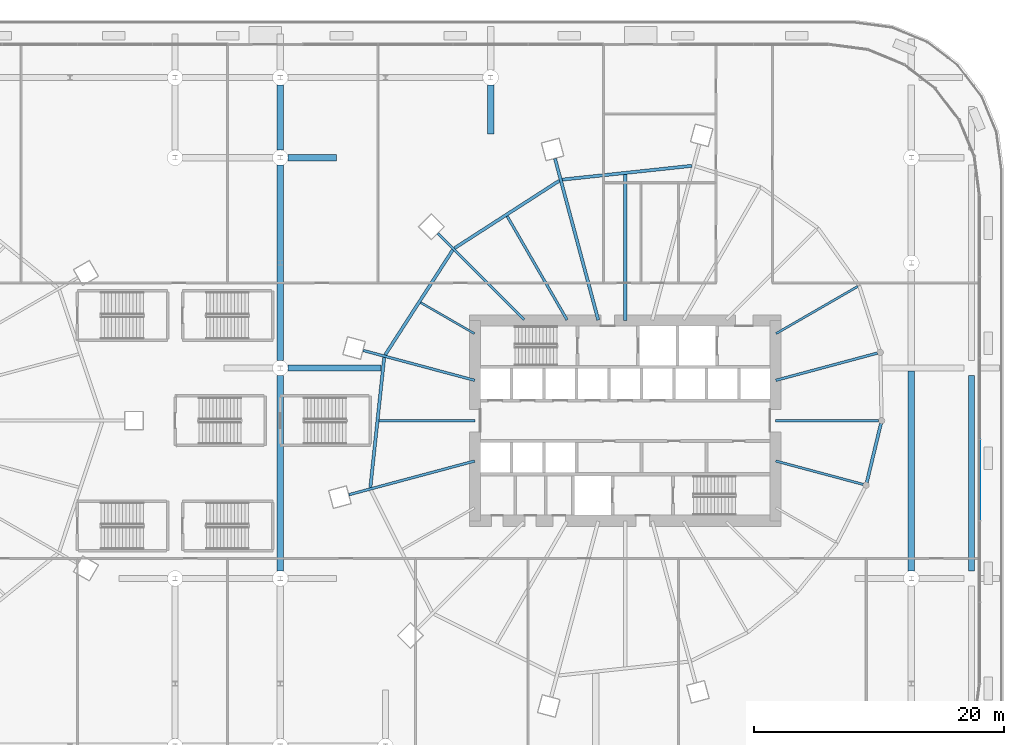
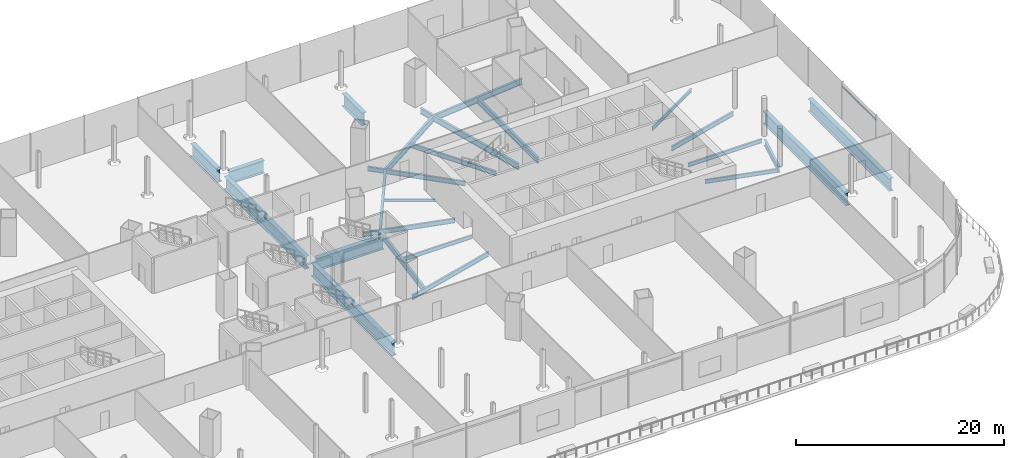
# One storey, part 26 of 56: 25 beams, 1 member, 1 element without a shape of its own.
"""IFC4 building model written with IfcOpenShell, lengths in metres."""

from ifc_helpers import new_model, si_unit, direction, frame, origin, origin_2d, place, context, subcontext, project, spatial, rectangle, i_section, extrude, material, material_profile, profile_set, type_object, element, aggregate, save


model = new_model("IFC4")

# Units and contexts
model_context = context("Model", 3, precision=1e-05, world=origin(), true_north=direction((0.0, 1.0)))
body_context = subcontext(model_context, "Body", "Model", "MODEL_VIEW")
ifc_project = project(units=[si_unit("LENGTHUNIT", "METRE"), si_unit("AREAUNIT", "SQUARE_METRE"), si_unit("VOLUMEUNIT", "CUBIC_METRE"), si_unit("PLANEANGLEUNIT", "RADIAN"), si_unit("MASSUNIT", "GRAM", prefix="KILO")], contexts=[model_context])

# Site, building, storey
site_placement = place(None, origin())
site = spatial("IfcSite", under=ifc_project, at=site_placement, CompositionType="ELEMENT")
building_placement = place(site_placement, origin())
building = spatial("IfcBuilding", under=site, at=building_placement, Name="Rimbun Link Towers", CompositionType="ELEMENT")
storey_placement = place(building_placement, frame((0.0, 0.0, 16.5)))
storey = spatial("IfcBuildingStorey", under=building, at=storey_placement, Name="L03", CompositionType="ELEMENT", Elevation=16.5)

# Curtain wall, member
ifc_material_1 = material(Name="Aluminium 6063-T6 and low-iron glass", Category="aluminium")
curtain_wall_type = type_object("IfcCurtainWallType", Name="CW3 podium shopfront", PredefinedType="NOTDEFINED", material=ifc_material_1)
curtain_wall_placement = place(storey_placement, origin())
curtain_wall = element("IfcCurtainWall", 1, at=curtain_wall_placement, inside=storey, type_object=curtain_wall_type, Name="CW3 L03 PD", PredefinedType="NOTDEFINED")
ifc_material_2 = material(Name="Aluminium 6063-T6", Category="aluminium")
ifc_material_profile_1 = material_profile(ifc_material_2, rectangle(XDim=0.06005859375, YDim=0.1201171875, at=origin_2d()), Name="TRANSOM 60X120")
ifc_profile_set_1 = profile_set([ifc_material_profile_1], Name="Aluminium 6063-T6")
member_type = type_object("IfcMemberType", Name="CW3 transom 60X120", PredefinedType="USERDEFINED", material=ifc_profile_set_1)
member_placement = place(storey_placement, frame((60.053955078125, -1.530029296875, 3.89990234375), z_axis=(0.0, -1.0, 0.0), x_axis=(1.0, 0.0, 0.0)))
member = element("IfcMember", 2, at=member_placement, type_object=member_type, Name="CW3 transom", ObjectType="TRANSOM", PredefinedType="USERDEFINED", context=body_context, shape_type="SweptSolid", body=[
    extrude(rectangle(XDim=0.06005859375, YDim=0.1201171875, at=origin_2d()), origin(), (0.0, 0.0, 1.0), 6.43994140625),
])
aggregate(curtain_wall, [member])

# Beams
ifc_material_3 = material(Name="Steel S355J2", Category="steel")
ifc_material_profile_2 = material_profile(ifc_material_3, i_section(OverallWidth=0.5, OverallDepth=1.5, WebThickness=0.030029296875, FlangeThickness=0.050048828125, at=origin_2d()), Name="PG 1500x500x30/50")
ifc_profile_set_2 = profile_set([ifc_material_profile_2], Name="Steel S355J2")
beam_type_1 = type_object("IfcBeamType", Name="PG 1500x500x30/50", PredefinedType="BEAM", material=ifc_profile_set_2)
beam_1_placement = place(storey_placement, frame((4.800048828125, 4.199951171875, -1.050048828125), z_axis=(1.0, 0.0, 0.0), x_axis=(0.0, 1.0, 0.0)))
element("IfcBeam", 3, at=beam_1_placement, inside=storey, type_object=beam_type_1, Name="Grid beam L03 +4.2", PredefinedType="BEAM", context=body_context, shape_type="SweptSolid", body=[
    extrude(i_section(OverallWidth=0.5, OverallDepth=1.5, WebThickness=0.030029296875, FlangeThickness=0.050048828125, at=origin_2d()), origin(), (0.0, 0.0, 1.0), 7.454833984375),
])
beam_2_placement = place(storey_placement, frame((4.800048828125, 21.0, -1.050048828125), z_axis=(1.0, 0.0, 0.0), x_axis=(0.0, 1.0, 0.0)))
element("IfcBeam", 4, at=beam_2_placement, inside=storey, type_object=beam_type_1, Name="Grid beam L03 +21.0", PredefinedType="BEAM", context=body_context, shape_type="SweptSolid", body=[
    extrude(i_section(OverallWidth=0.5, OverallDepth=1.5, WebThickness=0.030029296875, FlangeThickness=0.050048828125, at=origin_2d()), origin(), (0.0, 0.0, 1.0), 3.89990234375),
])
beam_3_placement = place(storey_placement, frame((4.199951171875, -12.0, -1.050048828125), z_axis=(0.0, 1.0, 0.0), x_axis=(-1.0, 0.0, 0.0)))
element("IfcBeam", 5, at=beam_3_placement, inside=storey, type_object=beam_type_1, Name="Grid beam L03 +4.2", PredefinedType="BEAM", context=body_context, shape_type="SweptSolid", body=[
    extrude(i_section(OverallWidth=0.5, OverallDepth=1.5, WebThickness=0.030029296875, FlangeThickness=0.050048828125, at=origin_2d()), origin(), (0.0, 0.0, 1.0), 15.60009765625),
])
beam_4_placement = place(storey_placement, frame((4.199951171875, 4.800048828125, -1.050048828125), z_axis=(0.0, 1.0, 0.0), x_axis=(-1.0, 0.0, 0.0)))
element("IfcBeam", 6, at=beam_4_placement, inside=storey, type_object=beam_type_1, Name="Grid beam L03 +4.2", PredefinedType="BEAM", context=body_context, shape_type="SweptSolid", body=[
    extrude(i_section(OverallWidth=0.5, OverallDepth=1.5, WebThickness=0.030029296875, FlangeThickness=0.050048828125, at=origin_2d()), origin(), (0.0, 0.0, 1.0), 15.599853515625),
])
beam_5_placement = place(storey_placement, frame((4.199951171875, 21.60009765625, -1.050048828125), z_axis=(0.0, 1.0, 0.0), x_axis=(-1.0, 0.0, 0.0)))
element("IfcBeam", 7, at=beam_5_placement, inside=storey, type_object=beam_type_1, Name="Grid beam L03 +4.2", PredefinedType="BEAM", context=body_context, shape_type="SweptSolid", body=[
    extrude(i_section(OverallWidth=0.5, OverallDepth=1.5, WebThickness=0.030029296875, FlangeThickness=0.050048828125, at=origin_2d()), origin(), (0.0, 0.0, 1.0), 5.199951171875),
])
beam_6_placement = place(storey_placement, frame((21.0, 22.89990234375, -1.050048828125), z_axis=(0.0, 1.0, 0.0), x_axis=(-1.0, 0.0, 0.0)))
element("IfcBeam", 8, at=beam_6_placement, inside=storey, type_object=beam_type_1, Name="Grid beam L03 +21.0", PredefinedType="BEAM", context=body_context, shape_type="SweptSolid", body=[
    extrude(i_section(OverallWidth=0.5, OverallDepth=1.5, WebThickness=0.030029296875, FlangeThickness=0.050048828125, at=origin_2d()), origin(), (0.0, 0.0, 1.0), 3.900146484375),
])
beam_7_placement = place(storey_placement, frame((54.60009765625, -12.0, -1.050048828125), z_axis=(0.0, 1.0, 0.0), x_axis=(-1.0, 0.0, 0.0)))
element("IfcBeam", 9, at=beam_7_placement, inside=storey, type_object=beam_type_1, Name="Grid beam L03 +54.6", PredefinedType="BEAM", context=body_context, shape_type="SweptSolid", body=[
    extrude(i_section(OverallWidth=0.5, OverallDepth=1.5, WebThickness=0.030029296875, FlangeThickness=0.050048828125, at=origin_2d()), origin(), (0.0, 0.0, 1.0), 15.949951171875),
])
beam_8_placement = place(storey_placement, frame((59.39990234375, -12.0, -1.050048828125), z_axis=(0.0, 1.0, 0.0), x_axis=(-1.0, 0.0, 0.0)))
element("IfcBeam", 10, at=beam_8_placement, inside=storey, type_object=beam_type_1, Name="Grid beam L03 +59.4", PredefinedType="BEAM", context=body_context, shape_type="SweptSolid", body=[
    extrude(i_section(OverallWidth=0.5, OverallDepth=1.5, WebThickness=0.030029296875, FlangeThickness=0.050048828125, at=origin_2d()), origin(), (0.0, 0.0, 1.0), 15.60009765625),
])
ifc_material_4 = material(Name="Steel S355J2", Category="steel")
ifc_material_profile_3 = material_profile(ifc_material_4, i_section(OverallWidth=0.1650390625, OverallDepth=0.303466796875, WebThickness=0.006103515625, FlangeThickness=0.01025390625, at=origin_2d()), Name="UB 305x165x40")
ifc_profile_set_3 = profile_set([ifc_material_profile_3], Name="Steel S355J2")
beam_type_2 = type_object("IfcBeamType", Name="UB 305x165x40", PredefinedType="BEAM", material=ifc_profile_set_3)
beam_9_placement = place(storey_placement, frame((19.7080078125, 6.952392578125, -0.45166015625), z_axis=(-0.866029649098, 0.49999264683, 0.0), x_axis=(-0.49999264683, -0.866029649098, 0.0)))
element("IfcBeam", 11, at=beam_9_placement, inside=storey, type_object=beam_type_2, Name="Radial beam T2 L03 07", PredefinedType="BEAM", context=body_context, shape_type="SweptSolid", body=[
    extrude(i_section(OverallWidth=0.1650390625, OverallDepth=0.303466796875, WebThickness=0.006103515625, FlangeThickness=0.01025390625, at=origin_2d()), origin(), (0.0, 0.0, 1.0), 4.95361328125),
])
ifc_material_5 = material(Name="Steel S355J2", Category="steel")
ifc_material_profile_4 = material_profile(ifc_material_5, i_section(OverallWidth=0.177978515625, OverallDepth=0.406494140625, WebThickness=0.0078125, FlangeThickness=0.0126953125, at=origin_2d()), Name="UB 406x178x60")
ifc_profile_set_4 = profile_set([ifc_material_profile_4], Name="Steel S355J2")
beam_type_3 = type_object("IfcBeamType", Name="UB 406x178x60", PredefinedType="BEAM", material=ifc_profile_set_4)
beam_10_placement = place(storey_placement, frame((43.79541015625, 6.954345703125, -0.503173828125), z_axis=(0.866023167905, 0.500003872636, 0.0), x_axis=(-0.500003872636, 0.866023167905, 0.0)))
element("IfcBeam", 12, at=beam_10_placement, inside=storey, type_object=beam_type_3, Name="Radial beam T2 L03 23", PredefinedType="BEAM", context=body_context, shape_type="SweptSolid", body=[
    extrude(i_section(OverallWidth=0.177978515625, OverallDepth=0.406494140625, WebThickness=0.0078125, FlangeThickness=0.0126953125, at=origin_2d()), origin(), (0.0, 0.0, 1.0), 7.53466796875),
])
ifc_material_6 = material(Name="Steel S355J2", Category="steel")
ifc_material_profile_5 = material_profile(ifc_material_6, i_section(OverallWidth=0.18994140625, OverallDepth=0.453369140625, WebThickness=0.008544921875, FlangeThickness=0.0126953125, at=origin_2d()), Name="UB 457x191x67")
ifc_profile_set_5 = profile_set([ifc_material_profile_5], Name="Steel S355J2")
beam_type_4 = type_object("IfcBeamType", Name="UB 457x191x67", PredefinedType="BEAM", material=ifc_profile_set_5)
beam_11_placement = place(storey_placement, frame((19.7490234375, 0.0, -0.526611328125), z_axis=(-1.0, 0.0, 0.0), x_axis=(0.0, -1.0, 0.0)))
element("IfcBeam", 13, at=beam_11_placement, inside=storey, type_object=beam_type_4, Name="Radial beam T2 L03 09", PredefinedType="BEAM", context=body_context, shape_type="SweptSolid", body=[
    extrude(i_section(OverallWidth=0.18994140625, OverallDepth=0.453369140625, WebThickness=0.008544921875, FlangeThickness=0.0126953125, at=origin_2d()), origin(), (0.0, 0.0, 1.0), 7.65771484375),
])
beam_12_placement = place(storey_placement, frame((43.775390625, -3.22216796875, -0.526611328125), z_axis=(0.965928471546, -0.258809172667, 0.0), x_axis=(0.258809172667, 0.965928471546, 0.0)))
element("IfcBeam", 14, at=beam_12_placement, inside=storey, type_object=beam_type_4, Name="Radial beam T2 L03 20", PredefinedType="BEAM", context=body_context, shape_type="SweptSolid", body=[
    extrude(i_section(OverallWidth=0.18994140625, OverallDepth=0.453369140625, WebThickness=0.008544921875, FlangeThickness=0.0126953125, at=origin_2d()), origin(), (0.0, 0.0, 1.0), 7.2353515625),
])
beam_13_placement = place(storey_placement, frame((43.7509765625, 0.0, -0.526611328125), z_axis=(1.0, 0.0, 0.0), x_axis=(0.0, 1.0, 0.0)))
element("IfcBeam", 15, at=beam_13_placement, inside=storey, type_object=beam_type_4, Name="Radial beam T2 L03 21", PredefinedType="BEAM", context=body_context, shape_type="SweptSolid", body=[
    extrude(i_section(OverallWidth=0.18994140625, OverallDepth=0.453369140625, WebThickness=0.008544921875, FlangeThickness=0.0126953125, at=origin_2d()), origin(), (0.0, 0.0, 1.0), 8.243408203125),
])
ifc_material_7 = material(Name="Steel S355J2", Category="steel")
ifc_material_profile_6 = material_profile(ifc_material_7, i_section(OverallWidth=0.209228515625, OverallDepth=0.533203125, WebThickness=0.010009765625, FlangeThickness=0.015625, at=origin_2d()), Name="UB 533x210x92")
ifc_profile_set_6 = profile_set([ifc_material_profile_6], Name="Steel S355J2")
beam_type_5 = type_object("IfcBeamType", Name="UB 533x210x92", PredefinedType="BEAM", material=ifc_profile_set_6)
beam_14_placement = place(storey_placement, frame((27.1005859375, 8.05322265625, -0.566650390625), z_axis=(-0.500001003139, 0.866024824621, 0.0), x_axis=(-0.866024824621, -0.500001003139, 0.0)))
element("IfcBeam", 16, at=beam_14_placement, inside=storey, type_object=beam_type_5, Name="Radial beam T2 L03 05", PredefinedType="BEAM", context=body_context, shape_type="SweptSolid", body=[
    extrude(i_section(OverallWidth=0.209228515625, OverallDepth=0.533203125, WebThickness=0.010009765625, FlangeThickness=0.015625, at=origin_2d()), origin(), (0.0, 0.0, 1.0), 9.5595703125),
])
beam_15_placement = place(storey_placement, frame((23.67529296875, 8.07470703125, -0.566650390625), z_axis=(-0.707106781187, 0.707106781187, 0.0), x_axis=(-0.707106781187, -0.707106781187, 0.0)))
element("IfcBeam", 17, at=beam_15_placement, inside=storey, type_object=beam_type_5, Name="Radial beam T2 L03 06", PredefinedType="BEAM", context=body_context, shape_type="SweptSolid", body=[
    extrude(i_section(OverallWidth=0.209228515625, OverallDepth=0.533203125, WebThickness=0.010009765625, FlangeThickness=0.015625, at=origin_2d()), origin(), (0.0, 0.0, 1.0), 9.73486328125),
])
beam_16_placement = place(storey_placement, frame((19.721923828125, 3.222900390625, -0.566650390625), z_axis=(-0.965927485499, 0.258812852768, 0.0), x_axis=(-0.258812852768, -0.965927485499, 0.0)))
element("IfcBeam", 18, at=beam_16_placement, inside=storey, type_object=beam_type_5, Name="Radial beam T2 L03 08", PredefinedType="BEAM", context=body_context, shape_type="SweptSolid", body=[
    extrude(i_section(OverallWidth=0.209228515625, OverallDepth=0.533203125, WebThickness=0.010009765625, FlangeThickness=0.015625, at=origin_2d()), origin(), (0.0, 0.0, 1.0), 9.219970703125),
])
beam_17_placement = place(storey_placement, frame((19.721923828125, -3.222900390625, -0.566650390625), z_axis=(-0.965924246626, -0.258824940413, 0.0), x_axis=(0.258824940413, -0.965924246626, 0.0)))
element("IfcBeam", 19, at=beam_17_placement, inside=storey, type_object=beam_type_5, Name="Radial beam T2 L03 10", PredefinedType="BEAM", context=body_context, shape_type="SweptSolid", body=[
    extrude(i_section(OverallWidth=0.209228515625, OverallDepth=0.533203125, WebThickness=0.010009765625, FlangeThickness=0.015625, at=origin_2d()), origin(), (0.0, 0.0, 1.0), 10.391845703125),
])
beam_18_placement = place(storey_placement, frame((43.778076171875, 3.222900390625, -0.566650390625), z_axis=(0.965923668539, 0.258827097802, 0.0), x_axis=(-0.258827097802, 0.965923668539, 0.0)))
element("IfcBeam", 20, at=beam_18_placement, inside=storey, type_object=beam_type_5, Name="Radial beam T2 L03 22", PredefinedType="BEAM", context=body_context, shape_type="SweptSolid", body=[
    extrude(i_section(OverallWidth=0.209228515625, OverallDepth=0.533203125, WebThickness=0.010009765625, FlangeThickness=0.015625, at=origin_2d()), origin(), (0.0, 0.0, 1.0), 8.402587890625),
])
ifc_material_8 = material(Name="Steel S355J2", Category="steel")
ifc_material_profile_7 = material_profile(ifc_material_8, i_section(OverallWidth=0.253662109375, OverallDepth=0.68359375, WebThickness=0.012451171875, FlangeThickness=0.01904296875, at=origin_2d()), Name="UB 686x254x140")
ifc_profile_set_7 = profile_set([ifc_material_profile_7], Name="Steel S355J2")
beam_type_6 = type_object("IfcBeamType", Name="UB 686x254x140", PredefinedType="BEAM", material=ifc_profile_set_7)
beam_19_placement = place(storey_placement, frame((31.75, 8.0009765625, -0.641845703125), z_axis=(0.0, 1.0, 0.0), x_axis=(-1.0, 0.0, 0.0)))
element("IfcBeam", 21, at=beam_19_placement, inside=storey, type_object=beam_type_6, Name="Radial beam T2 L03 03", PredefinedType="BEAM", context=body_context, shape_type="SweptSolid", body=[
    extrude(i_section(OverallWidth=0.253662109375, OverallDepth=0.68359375, WebThickness=0.012451171875, FlangeThickness=0.01904296875, at=origin_2d()), origin(), (0.0, 0.0, 1.0), 11.65771484375),
])
beam_20_placement = place(storey_placement, frame((29.597412109375, 8.03369140625, -0.641845703125), z_axis=(-0.258816190288, 0.96592659123, 0.0), x_axis=(-0.96592659123, -0.258816190288, 0.0)))
element("IfcBeam", 22, at=beam_20_placement, inside=storey, type_object=beam_type_6, Name="Radial beam T2 L03 04", PredefinedType="BEAM", context=body_context, shape_type="SweptSolid", body=[
    extrude(i_section(OverallWidth=0.253662109375, OverallDepth=0.68359375, WebThickness=0.012451171875, FlangeThickness=0.01904296875, at=origin_2d()), origin(), (0.0, 0.0, 1.0), 13.355224609375),
])
beam_21_placement = place(storey_placement, frame((37.064697265625, 20.353271484375, -0.641845703125), z_axis=(-0.994376453373, -0.105903111275, 0.0), x_axis=(0.105903111275, -0.994376453373, 0.0)))
element("IfcBeam", 23, at=beam_21_placement, inside=storey, type_object=beam_type_6, Name="Edge beam T2 L03 02-04", PredefinedType="BEAM", context=body_context, shape_type="SweptSolid", body=[
    extrude(i_section(OverallWidth=0.253662109375, OverallDepth=0.68359375, WebThickness=0.012451171875, FlangeThickness=0.01904296875, at=origin_2d()), origin(), (0.0, 0.0, 1.0), 10.3994140625),
])
beam_22_placement = place(storey_placement, frame((26.482421875, 19.16552734375, -0.641845703125), z_axis=(-0.840626167656, -0.541615773636, 0.0), x_axis=(0.541615773636, -0.840626167656, 0.0)))
element("IfcBeam", 24, at=beam_22_placement, inside=storey, type_object=beam_type_6, Name="Edge beam T2 L03 04-06", PredefinedType="BEAM", context=body_context, shape_type="SweptSolid", body=[
    extrude(i_section(OverallWidth=0.253662109375, OverallDepth=0.68359375, WebThickness=0.012451171875, FlangeThickness=0.01904296875, at=origin_2d()), origin(), (0.0, 0.0, 1.0), 9.946533203125),
])
beam_23_placement = place(storey_placement, frame((17.9716796875, 13.62890625, -0.641845703125), z_axis=(-0.541606359312, -0.840632233235, 0.0), x_axis=(0.840632233235, -0.541606359312, 0.0)))
element("IfcBeam", 25, at=beam_23_placement, inside=storey, type_object=beam_type_6, Name="Edge beam T2 L03 06-08", PredefinedType="BEAM", context=body_context, shape_type="SweptSolid", body=[
    extrude(i_section(OverallWidth=0.253662109375, OverallDepth=0.68359375, WebThickness=0.012451171875, FlangeThickness=0.01904296875, at=origin_2d()), origin(), (0.0, 0.0, 1.0), 9.9697265625),
])
beam_24_placement = place(storey_placement, frame((12.50048828125, 5.048583984375, -0.641845703125), z_axis=(-0.105900549099, -0.994376726246, 0.0), x_axis=(0.994376726246, -0.105900549099, 0.0)))
element("IfcBeam", 26, at=beam_24_placement, inside=storey, type_object=beam_type_6, Name="Edge beam T2 L03 08-10", PredefinedType="BEAM", context=body_context, shape_type="SweptSolid", body=[
    extrude(i_section(OverallWidth=0.253662109375, OverallDepth=0.68359375, WebThickness=0.012451171875, FlangeThickness=0.01904296875, at=origin_2d()), origin(), (0.0, 0.0, 1.0), 10.45263671875),
])
beam_25_placement = place(storey_placement, frame((51.039794921875, -4.9404296875, -0.641845703125), z_axis=(0.23356672239, 0.972340776781, 0.0), x_axis=(-0.972340776781, 0.23356672239, 0.0)))
element("IfcBeam", 27, at=beam_25_placement, inside=storey, type_object=beam_type_6, Name="Edge beam T2 L03 20", PredefinedType="BEAM", context=body_context, shape_type="SweptSolid", body=[
    extrude(i_section(OverallWidth=0.253662109375, OverallDepth=0.68359375, WebThickness=0.012451171875, FlangeThickness=0.01904296875, at=origin_2d()), origin(), (0.0, 0.0, 1.0), 4.860595703125),
])

save(model, "model.ifc")
